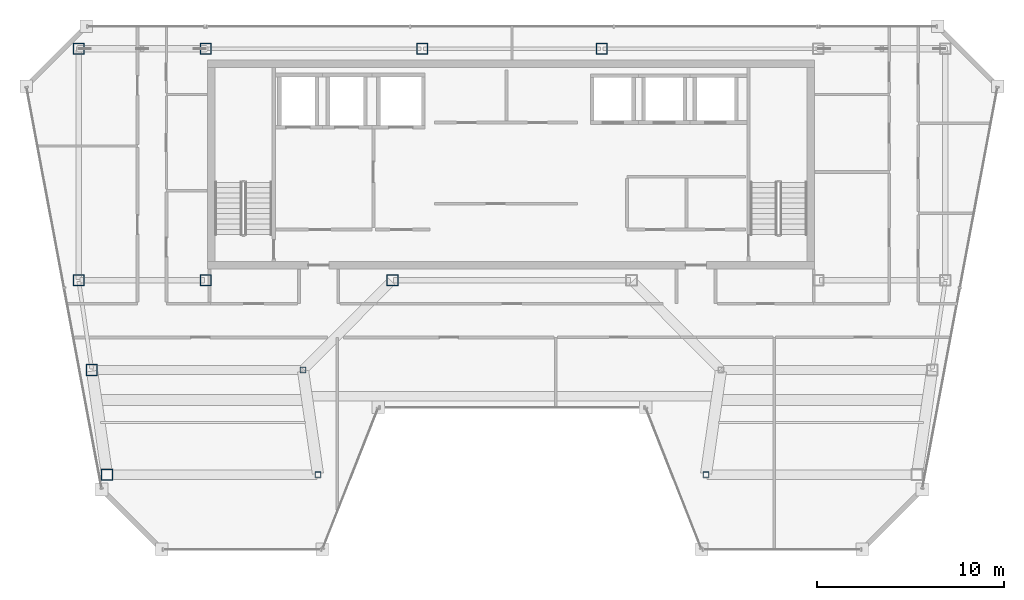
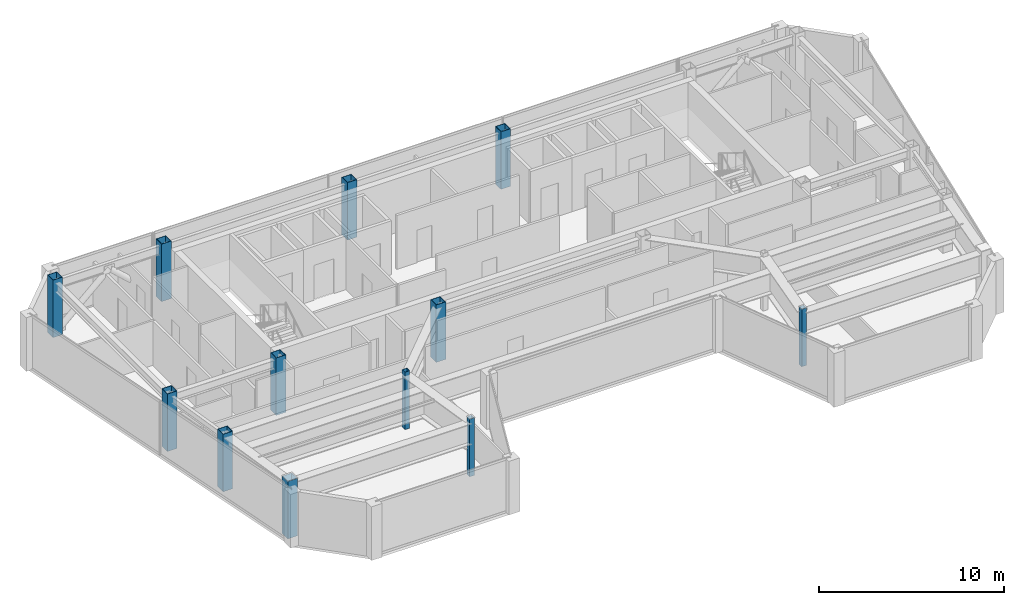
# One storey, part 1 of 23: 12 columns.
"""IFC4 building model written with IfcOpenShell, lengths in metres."""

from ifc_helpers import new_model, si_unit, direction, frame, origin, origin_2d, place, context, subcontext, project, spatial, hollow_rectangle, extrude, material, material_profile, profile_set, type_object, element, save


model = new_model("IFC4")

# Units and contexts
model_context = context("Model", 3, precision=1e-05, world=origin(), true_north=direction((0.0, 1.0)))
body_context = subcontext(model_context, "Body", "Model", "MODEL_VIEW")
ifc_project = project(units=[si_unit("LENGTHUNIT", "METRE"), si_unit("AREAUNIT", "SQUARE_METRE"), si_unit("VOLUMEUNIT", "CUBIC_METRE"), si_unit("PLANEANGLEUNIT", "RADIAN"), si_unit("MASSUNIT", "GRAM", prefix="KILO")], contexts=[model_context])

# Site, building, storey
site_placement = place(None, origin())
site = spatial("IfcSite", under=ifc_project, at=site_placement, CompositionType="ELEMENT")
building_placement = place(site_placement, origin())
building = spatial("IfcBuilding", under=site, at=building_placement, Name="Saevonmaru Cultural Tower", CompositionType="ELEMENT")
storey_placement = place(building_placement, frame((0.0, 0.0, 291.39990234375)))
storey = spatial("IfcBuildingStorey", under=building, at=storey_placement, Name="L69", CompositionType="ELEMENT", Elevation=291.39990234375)

# Columns
ifc_material = material(Name="Steel SM355", Category="steel")
ifc_material_profile_1 = material_profile(ifc_material, hollow_rectangle(XDim=0.60009765625, YDim=0.60009765625, WallThickness=0.028076171875, at=origin_2d()), Name="BOX-600x600x28")
ifc_profile_set_1 = profile_set([ifc_material_profile_1], Name="Steel SM355")
column_type_1 = type_object("IfcColumnType", Name="COL-BOX-600", PredefinedType="COLUMN", material=ifc_profile_set_1)
for number, where, z_axis, x_axis, name in (
    (1, (6.800048828125, 54.800048828125, 0.0), (0.0, 0.0, 1.0), (1.0, 0.0, 0.0), "L69 Column TC-N1N"),
    (2, (13.60009765625, 54.800048828125, 0.0), (0.0, 0.0, 1.0), (1.0, 0.0, 0.0), "L69 Column TC-N2N"),
    (3, (25.199951171875, 54.800048828125, 0.0), (0.0, 0.0, 1.0), (1.0, 0.0, 0.0), "L69 Column TC-N3N"),
    (4, (34.800048828125, 54.800048828125, 0.0), (0.0, 0.0, 1.0), (1.0, 0.0, 0.0), "L69 Column TC-N4N"),
    (5, (6.800048828125, 42.39990234375, 0.0), (0.0, 0.0, 1.0), (1.0, 0.0, 0.0), "L69 Column TC-S1C"),
    (6, (13.60009765625, 42.39990234375, 0.0), (0.0, 0.0, 1.0), (1.0, 0.0, 0.0), "L69 Column TC-S2C"),
    (7, (23.60009765625, 42.39990234375, 0.0), (0.0, 0.0, 1.0), (1.0, 0.0, 0.0), "L69 Column TC-S3C"),
    (8, (8.31689453125, 32.0, 0.0), (0.0, 0.0, 1.0), (1.0, 0.0, 0.0), "L69 Column TC-WO-Y320"),
    (9, (7.508056640625, 37.60009765625, 0.0), (0.0, 0.0, 1.0), (1.0, 0.0, 0.0), "L69 Column TC-WO-Y376"),
):
    element("IfcColumn", number, at=place(storey_placement, frame(where, z_axis=z_axis, x_axis=x_axis)), inside=storey, type_object=column_type_1, Name=name, PredefinedType="COLUMN", context=body_context, shape_type="SweptSolid", body=[
        extrude(hollow_rectangle(XDim=0.60009765625, YDim=0.60009765625, WallThickness=0.028076171875, at=origin_2d()), origin(), (0.0, 0.0, 1.0), 3.800048828125),
    ])
ifc_material_profile_2 = material_profile(ifc_material, hollow_rectangle(XDim=0.300048828125, YDim=0.300048828125, WallThickness=0.011962890625, at=origin_2d()), Name="SHS-300x300x12")
ifc_profile_set_2 = profile_set([ifc_material_profile_2], Name="Steel SM355")
column_type_2 = type_object("IfcColumnType", Name="COL-SHS-300", PredefinedType="COLUMN", material=ifc_profile_set_2)
for number, where, z_axis, x_axis, name in (
    (10, (19.616943359375, 32.0, 0.0), (0.0, 0.0, 1.0), (1.0, 0.0, 0.0), "L69 Column TC-WI-Y320"),
    (11, (40.383056640625, 32.0, 0.0), (0.0, 0.0, 1.0), (1.0, 0.0, 0.0), "L69 Column TC-EI-Y320"),
    (12, (18.80810546875, 37.60009765625, 0.0), (0.0, 0.0, 1.0), (1.0, 0.0, 0.0), "L69 Column TC-WI-Y376"),
):
    element("IfcColumn", number, at=place(storey_placement, frame(where, z_axis=z_axis, x_axis=x_axis)), inside=storey, type_object=column_type_2, Name=name, PredefinedType="COLUMN", context=body_context, shape_type="SweptSolid", body=[
        extrude(hollow_rectangle(XDim=0.300048828125, YDim=0.300048828125, WallThickness=0.011962890625, at=origin_2d()), origin(), (0.0, 0.0, 1.0), 3.800048828125),
    ])

save(model, "model.ifc")
